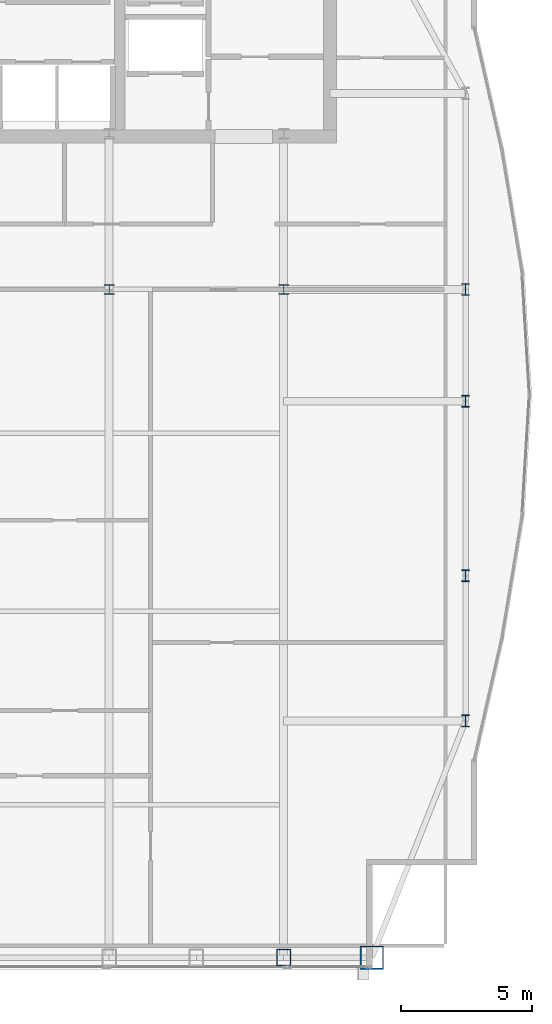
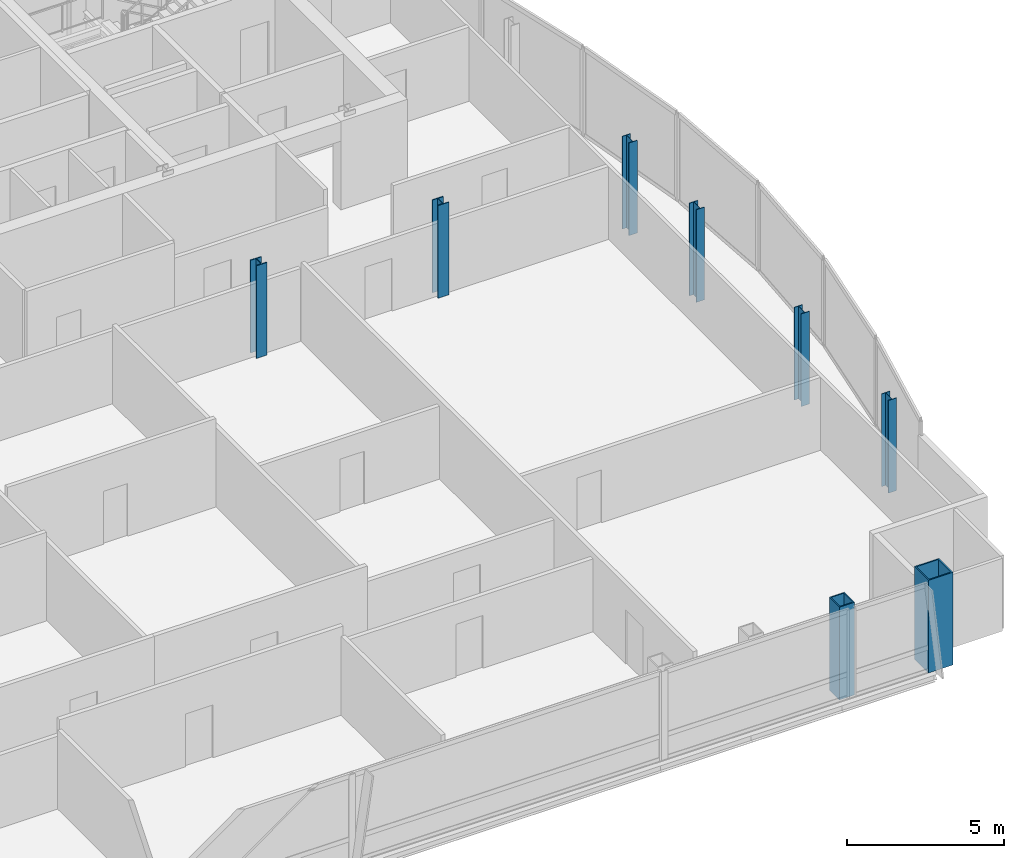
# One storey, part 2 of 29: 8 columns.
"""IFC4 building model written with IfcOpenShell, lengths in metres."""

from ifc_helpers import new_model, si_unit, direction, frame, origin, origin_2d, place, context, subcontext, project, spatial, hollow_rectangle, i_section, extrude, material, material_profile, profile_set, type_object, element, save


model = new_model("IFC4")

# Units and contexts
model_context = context("Model", 3, precision=1e-05, world=origin(), true_north=direction((0.0, 1.0)))
body_context = subcontext(model_context, "Body", "Model", "MODEL_VIEW")
ifc_project = project(units=[si_unit("LENGTHUNIT", "METRE"), si_unit("AREAUNIT", "SQUARE_METRE"), si_unit("VOLUMEUNIT", "CUBIC_METRE"), si_unit("PLANEANGLEUNIT", "RADIAN"), si_unit("MASSUNIT", "GRAM", prefix="KILO")], contexts=[model_context])

# Site, building, storey
site_placement = place(None, origin())
site = spatial("IfcSite", under=ifc_project, at=site_placement, CompositionType="ELEMENT")
building_placement = place(site_placement, origin())
building = spatial("IfcBuilding", under=site, at=building_placement, Name="Khoronbel Lancet Exchange", CompositionType="ELEMENT")
storey_placement = place(building_placement, frame((0.0, 0.0, 318.199951171875)))
storey = spatial("IfcBuildingStorey", under=building, at=storey_placement, Name="L82", CompositionType="ELEMENT", Elevation=318.199951171875)

# Columns
ifc_material_1 = material(Name="Steel S460", Category="steel")
ifc_material_profile_1 = material_profile(ifc_material_1, hollow_rectangle(XDim=0.550048828125, YDim=0.64990234375, WallThickness=0.0400390625, at=origin_2d()), Name="BOX 650x550x40")
ifc_profile_set_1 = profile_set([ifc_material_profile_1], Name="Steel S460")
column_type_1 = type_object("IfcColumnType", Name="COL-EC4", PredefinedType="COLUMN", material=ifc_profile_set_1)
column_1_placement = place(storey_placement, frame((54.675048828125, 10.14990234375, 0.0), z_axis=(0.0, 0.0, 1.0), x_axis=(1.0, 0.0, 0.0)))
element("IfcColumn", 1, at=column_1_placement, inside=storey, type_object=column_type_1, Name="Structural column SC-E2 L82", PredefinedType="COLUMN", context=body_context, shape_type="SweptSolid", body=[
    extrude(hollow_rectangle(XDim=0.550048828125, YDim=0.64990234375, WallThickness=0.0400390625, at=origin_2d()), origin(), (0.0, 0.0, 1.0), 3.60009765625),
])
ifc_material_2 = material(Name="Steel S355", Category="steel")
ifc_material_profile_2 = material_profile(ifc_material_2, i_section(OverallWidth=0.39892578125, OverallDepth=0.39306640625, WebThickness=0.022705078125, FlangeThickness=0.03662109375, at=origin_2d()), Name="HD 400x287")
ifc_profile_set_2 = profile_set([ifc_material_profile_2], Name="Steel S355")
column_type_2 = type_object("IfcColumnType", Name="COL-IC4", PredefinedType="COLUMN", material=ifc_profile_set_2)
for number, where, z_axis, x_axis, name in (
    (2, (48.0, 35.699951171875, 0.0), (0.0, 0.0, 1.0), (1.0, 0.0, 0.0), "Spine gravity column TC3 L82"),
    (3, (54.675048828125, 35.699951171875, 0.0), (0.0, 0.0, 1.0), (1.0, 0.0, 0.0), "Spine gravity column TC4 L82"),
):
    element("IfcColumn", number, at=place(storey_placement, frame(where, z_axis=z_axis, x_axis=x_axis)), inside=storey, type_object=column_type_2, Name=name, PredefinedType="COLUMN", context=body_context, shape_type="SweptSolid", body=[
        extrude(i_section(OverallWidth=0.39892578125, OverallDepth=0.39306640625, WebThickness=0.022705078125, FlangeThickness=0.03662109375, at=origin_2d()), origin(), (0.0, 0.0, 1.0), 3.60009765625),
    ])
ifc_material_profile_3 = material_profile(ifc_material_2, i_section(OverallWidth=0.300048828125, OverallDepth=0.449951171875, WebThickness=0.013916015625, FlangeThickness=0.02587890625, at=origin_2d()), Name="HEB 450")
ifc_profile_set_3 = profile_set([ifc_material_profile_3], Name="Steel S355")
column_type_3 = type_object("IfcColumnType", Name="COL-LC2", PredefinedType="COLUMN", material=ifc_profile_set_3)
for number, where, z_axis, x_axis, name in (
    (4, (61.6298828125, 19.199951171875, 0.0), (0.0, 0.0, 1.0), (1.0, 0.0, 0.0), "Structural column EC-1 L82"),
    (5, (61.6298828125, 24.75, 0.0), (0.0, 0.0, 1.0), (1.0, 0.0, 0.0), "Structural column EC-2 L82"),
    (6, (61.6298828125, 31.425048828125, 0.0), (0.0, 0.0, 1.0), (1.0, 0.0, 0.0), "Structural column EC-M L82"),
    (7, (61.6298828125, 35.699951171875, 0.0), (0.0, 0.0, 1.0), (1.0, 0.0, 0.0), "Structural column EC-3 L82"),
):
    element("IfcColumn", number, at=place(storey_placement, frame(where, z_axis=z_axis, x_axis=x_axis)), inside=storey, type_object=column_type_3, Name=name, PredefinedType="COLUMN", context=body_context, shape_type="SweptSolid", body=[
        extrude(i_section(OverallWidth=0.300048828125, OverallDepth=0.449951171875, WebThickness=0.013916015625, FlangeThickness=0.02587890625, at=origin_2d()), origin(), (0.0, 0.0, 1.0), 3.60009765625),
    ])
ifc_material_profile_4 = material_profile(ifc_material_1, hollow_rectangle(XDim=0.89990234375, YDim=0.89990234375, WallThickness=0.050048828125, at=origin_2d()), Name="BOX 900x900x50")
ifc_profile_set_4 = profile_set([ifc_material_profile_4], Name="Steel S460")
column_type_4 = type_object("IfcColumnType", Name="COL-MC7", PredefinedType="COLUMN", material=ifc_profile_set_4)
column_2_placement = place(storey_placement, frame((58.050048828125, 10.14990234375, 0.0), z_axis=(0.0, 0.0, 1.0), x_axis=(1.0, 0.0, 0.0)))
element("IfcColumn", 8, at=column_2_placement, inside=storey, type_object=column_type_4, Name="Structural column MC-SE L82", PredefinedType="COLUMN", context=body_context, shape_type="SweptSolid", body=[
    extrude(hollow_rectangle(XDim=0.89990234375, YDim=0.89990234375, WallThickness=0.050048828125, at=origin_2d()), origin(), (0.0, 0.0, 1.0), 3.60009765625),
])

save(model, "model.ifc")
